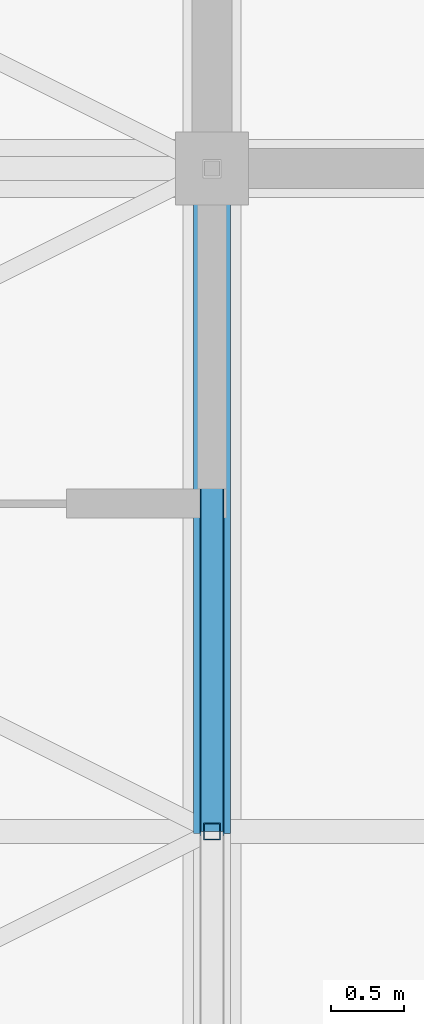
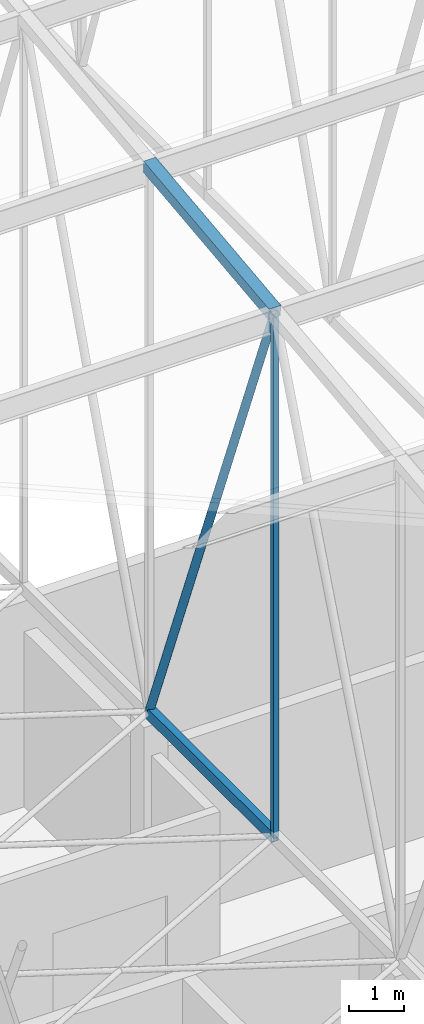
# One storey, part 56 of 500: 4 members.
"""IFC4 building model written with IfcOpenShell, lengths in metres."""

from ifc_helpers import new_model, si_unit, direction, frame, origin, origin_2d, place, context, subcontext, project, spatial, hollow_rectangle, hollow_circle, extrude, material, material_profile, profile_set, type_object, element, save


model = new_model("IFC4")

# Units and contexts
model_context = context("Model", 3, precision=1e-05, world=origin(), true_north=direction((0.0, 1.0)))
body_context = subcontext(model_context, "Body", "Model", "MODEL_VIEW")
ifc_project = project(units=[si_unit("LENGTHUNIT", "METRE"), si_unit("AREAUNIT", "SQUARE_METRE"), si_unit("VOLUMEUNIT", "CUBIC_METRE"), si_unit("PLANEANGLEUNIT", "RADIAN"), si_unit("MASSUNIT", "GRAM", prefix="KILO")], contexts=[model_context])

# Site, building, storey
site_placement = place(None, origin())
site = spatial("IfcSite", under=ifc_project, at=site_placement, CompositionType="ELEMENT")
building_placement = place(site_placement, origin())
building = spatial("IfcBuilding", under=site, at=building_placement, Name="Shirokan Park Arena", CompositionType="ELEMENT")
storey_placement = place(building_placement, frame((0.0, 0.0, 29.1201171875)))
storey = spatial("IfcBuildingStorey", under=building, at=storey_placement, Name="L06", CompositionType="ELEMENT", Elevation=29.1201171875)

# Members
ifc_material = material(Name="Steel ASTM A500 Grade C", Category="steel")
ifc_material_profile_1 = material_profile(ifc_material, hollow_rectangle(XDim=0.152099609375, YDim=0.25390625, WallThickness=0.009521484375, at=origin_2d()), Name="HSS254X152.4X9.5")
ifc_profile_set_1 = profile_set([ifc_material_profile_1], Name="Steel ASTM A500 Grade C")
member_type_1 = type_object("IfcMemberType", Name="Bottom chord HSS254X152.4X9.5", PredefinedType="CHORD", material=ifc_profile_set_1)
member_1_placement = place(storey_placement, frame((9.10009765625, 31.85009765625, 4.677001953125), z_axis=(0.0, 1.0, 0.0), x_axis=(-1.0, 0.0, 0.0)))
element("IfcMember", 1, at=member_1_placement, inside=storey, type_object=member_type_1, Name="Truss T02 bottom chord 10", PredefinedType="CHORD", context=body_context, shape_type="SweptSolid", body=[
    extrude(hollow_rectangle(XDim=0.152099609375, YDim=0.25390625, WallThickness=0.009521484375, at=origin_2d()), origin(), (0.0, 0.0, 1.0), 4.5498046875),
])
ifc_material_profile_2 = material_profile(ifc_material, hollow_rectangle(XDim=0.25390625, YDim=0.25390625, WallThickness=0.009521484375, at=origin_2d()), Name="HSS254X254X9.5")
ifc_profile_set_2 = profile_set([ifc_material_profile_2], Name="Steel ASTM A500 Grade C")
member_type_2 = type_object("IfcMemberType", Name="Top chord HSS254X254X9.5", PredefinedType="CHORD", material=ifc_profile_set_2)
member_2_placement = place(storey_placement, frame((9.10009765625, 31.85009765625, 16.262939453125), z_axis=(0.0, 0.993531641592, 0.11355561261), x_axis=(-1.0, 0.0, 0.0)))
element("IfcMember", 2, at=member_2_placement, inside=storey, type_object=member_type_2, Name="Truss T02 top chord 10", PredefinedType="CHORD", context=body_context, shape_type="SweptSolid", body=[
    extrude(hollow_rectangle(XDim=0.25390625, YDim=0.25390625, WallThickness=0.009521484375, at=origin_2d()), origin(), (0.0, 0.0, 1.0), 4.579345703125),
])
ifc_material_profile_3 = material_profile(ifc_material, hollow_circle(Radius=0.083984375, WallThickness=0.009521484375, at=origin_2d()), Name="HSS168.3X9.5")
ifc_profile_set_3 = profile_set([ifc_material_profile_3], Name="Steel ASTM A500 Grade C")
member_type_3 = type_object("IfcMemberType", Name="Truss diagonal HSS168.3X9.5", PredefinedType="BRACE", material=ifc_profile_set_3)
member_3_placement = place(storey_placement, frame((9.10009765625, 31.85009765625, 16.262939453125), z_axis=(0.0, 0.365526146051, -0.930801072493), x_axis=(-1.0, 0.0, 0.0)))
element("IfcMember", 3, at=member_3_placement, inside=storey, type_object=member_type_3, Name="Truss T02 diagonal 10", PredefinedType="BRACE", context=body_context, shape_type="SweptSolid", body=[
    extrude(hollow_circle(Radius=0.083984375, WallThickness=0.009521484375, at=origin_2d()), origin(), (0.0, 0.0, 1.0), 12.447265625),
])
ifc_material_profile_4 = material_profile(ifc_material, hollow_rectangle(XDim=0.114013671875, YDim=0.114013671875, WallThickness=0.00634765625, at=origin_2d()), Name="HSS114.3X114.3X6.4")
ifc_profile_set_4 = profile_set([ifc_material_profile_4], Name="Steel ASTM A500 Grade C")
member_type_4 = type_object("IfcMemberType", Name="Truss post HSS114.3X114.3X6.4", PredefinedType="POST", material=ifc_profile_set_4)
member_4_placement = place(storey_placement, frame((9.10009765625, 31.85009765625, 4.677001953125), z_axis=(0.0, 0.0, 1.0), x_axis=(1.0, 0.0, 0.0)))
element("IfcMember", 4, at=member_4_placement, inside=storey, type_object=member_type_4, Name="Truss T02 post 10", PredefinedType="POST", context=body_context, shape_type="SweptSolid", body=[
    extrude(hollow_rectangle(XDim=0.114013671875, YDim=0.114013671875, WallThickness=0.00634765625, at=origin_2d()), origin(), (0.0, 0.0, 1.0), 11.5859375),
])

save(model, "model.ifc")
